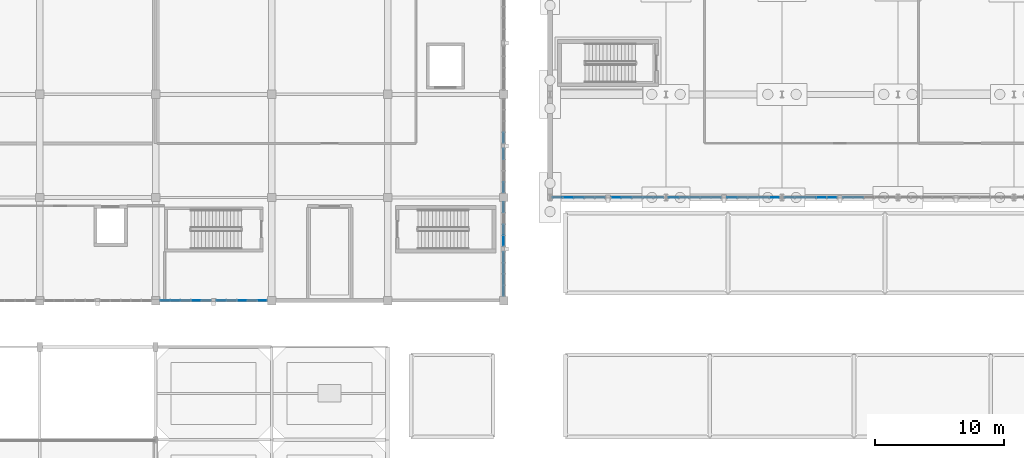
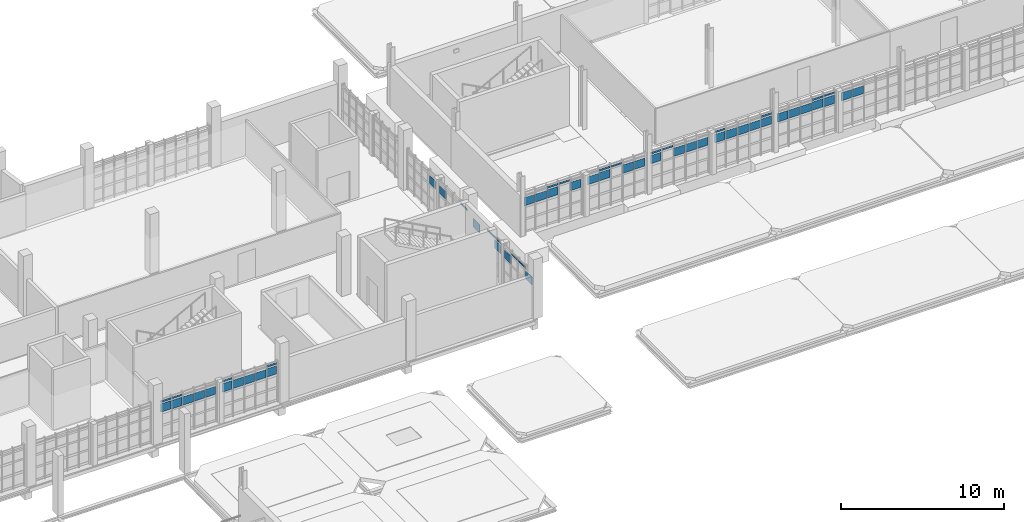
# One storey, part 98 of 125: 59 plates, 12 elements without a shape of their own.
"""IFC4 building model written with IfcOpenShell, lengths in metres."""

from ifc_helpers import new_model, si_unit, direction, frame, origin, origin_2d, place, context, subcontext, project, spatial, rectangle, extrude, material, layer, layer_set, type_object, element, aggregate, save


model = new_model("IFC4")

# Units and contexts
model_context = context("Model", 3, precision=1e-05, world=origin(), true_north=direction((0.0, 1.0)))
body_context = subcontext(model_context, "Body", "Model", "MODEL_VIEW")
ifc_project = project(units=[si_unit("LENGTHUNIT", "METRE"), si_unit("AREAUNIT", "SQUARE_METRE"), si_unit("VOLUMEUNIT", "CUBIC_METRE"), si_unit("PLANEANGLEUNIT", "RADIAN"), si_unit("MASSUNIT", "GRAM", prefix="KILO")], contexts=[model_context])

# Site, building, storey
site_placement = place(None, origin())
site = spatial("IfcSite", under=ifc_project, at=site_placement, CompositionType="ELEMENT")
building_placement = place(site_placement, origin())
building = spatial("IfcBuilding", under=site, at=building_placement, Name="Serraforn Aerial Cableway Station", CompositionType="ELEMENT")
storey_placement = place(building_placement, frame((0.0, 0.0, 4.5)))
storey = spatial("IfcBuildingStorey", under=building, at=storey_placement, Name="L01", CompositionType="ELEMENT", Elevation=4.5)

# Curtain wall, plate
ifc_material_1 = material(Name="Anodised bronze unitised curtain wall")
curtain_wall_type_1 = type_object("IfcCurtainWallType", Name="CW-SYS-26", PredefinedType="USERDEFINED", material=ifc_material_1)
curtain_wall_1_placement = place(storey_placement, origin())
curtain_wall_1 = element("IfcCurtainWall", 1, at=curtain_wall_1_placement, inside=storey, type_object=curtain_wall_type_1, Name="Unitised Curtain Wall CW-CV-L01-S5B", ObjectType="UNITISED CURTAIN WALL", PredefinedType="USERDEFINED")
ifc_material_2 = material(Name="Solar-control low-E double glazing", Category="glass")
ifc_layer_1 = layer(ifc_material_2, 0.02587890625)
ifc_layer_set_1 = layer_set([ifc_layer_1], Name="Solar-control low-E double glazing")
plate_type_1 = type_object("IfcPlateType", Name="CW-GLZ-1", PredefinedType="CURTAIN_PANEL", material=ifc_layer_set_1)
plate_1_placement = place(storey_placement, frame((71.85986328125, 18.0, 2.077392578125), z_axis=(0.0, 0.0, 1.0), x_axis=(1.0, 0.0, 0.0)))
plate_1 = element("IfcPlate", 2, at=plate_1_placement, type_object=plate_type_1, Name="Curtain Wall Panel CW-CV-L01-S5B-P5-3", PredefinedType="CURTAIN_PANEL", context=body_context, shape_type="SweptSolid", body=[
    extrude(rectangle(XDim=0.70849609375, YDim=0.02587890625, at=origin_2d()), origin(), (0.0, 0.0, 1.0), 0.615234375),
])

curtain_wall_type_2 = type_object("IfcCurtainWallType", Name="CW-SYS-2", PredefinedType="USERDEFINED", material=ifc_material_1)
curtain_wall_2_placement = place(storey_placement, origin())
curtain_wall_2 = element("IfcCurtainWall", 3, at=curtain_wall_2_placement, inside=storey, type_object=curtain_wall_type_2, Name="Unitised Curtain Wall CW-CV-L01-E1B", ObjectType="UNITISED CURTAIN WALL", PredefinedType="USERDEFINED")
plate_2_placement = place(storey_placement, frame((90.60009765625, 22.630859375, 2.077392578125), z_axis=(0.0, 0.0, 1.0), x_axis=(1.0, 0.0, 0.0)))
plate_2 = element("IfcPlate", 4, at=plate_2_placement, type_object=plate_type_1, Name="Curtain Wall Panel CW-CV-L01-E1B-P1-3", PredefinedType="CURTAIN_PANEL", context=body_context, shape_type="SweptSolid", body=[
    extrude(rectangle(XDim=0.02587890625, YDim=0.78564453125, at=origin_2d()), origin(), (0.0, 0.0, 1.0), 0.615234375),
])

curtain_wall_type_3 = type_object("IfcCurtainWallType", Name="CW-SYS-9", PredefinedType="USERDEFINED", material=ifc_material_1)
curtain_wall_3_placement = place(storey_placement, origin())
curtain_wall_3 = element("IfcCurtainWall", 5, at=curtain_wall_3_placement, inside=storey, type_object=curtain_wall_type_3, Name="Unitised Curtain Wall CW-EL-L01-S1A", ObjectType="UNITISED CURTAIN WALL", PredefinedType="USERDEFINED")
plate_3_placement = place(storey_placement, frame((95.598388671875, 26.0, 2.06982421875), z_axis=(0.0, 0.0, 1.0), x_axis=(1.0, 0.0, 0.0)))
plate_3 = element("IfcPlate", 6, at=plate_3_placement, type_object=plate_type_1, Name="Curtain Wall Panel CW-EL-L01-S1A-P2-3", PredefinedType="CURTAIN_PANEL", context=body_context, shape_type="SweptSolid", body=[
    extrude(rectangle(XDim=0.781005859375, YDim=0.02587890625, at=origin_2d()), origin(), (0.0, 0.0, 1.0), 0.59521484375),
])

curtain_wall_type_4 = type_object("IfcCurtainWallType", Name="CW-SYS-10", PredefinedType="USERDEFINED", material=ifc_material_1)
curtain_wall_4_placement = place(storey_placement, origin())
curtain_wall_4 = element("IfcCurtainWall", 7, at=curtain_wall_4_placement, inside=storey, type_object=curtain_wall_type_4, Name="Unitised Curtain Wall CW-EL-L01-S1B", ObjectType="UNITISED CURTAIN WALL", PredefinedType="USERDEFINED")
plate_4_placement = place(storey_placement, frame((99.309814453125, 26.0, 2.06982421875), z_axis=(0.0, 0.0, 1.0), x_axis=(1.0, 0.0, 0.0)))
plate_4 = element("IfcPlate", 8, at=plate_4_placement, type_object=plate_type_1, Name="Curtain Wall Panel CW-EL-L01-S1B-P1-3", PredefinedType="CURTAIN_PANEL", context=body_context, shape_type="SweptSolid", body=[
    extrude(rectangle(XDim=0.75341796875, YDim=0.02587890625, at=origin_2d()), origin(), (0.0, 0.0, 1.0), 0.59521484375),
])

curtain_wall_type_5 = type_object("IfcCurtainWallType", Name="CW-SYS-13", PredefinedType="USERDEFINED", material=ifc_material_1)
curtain_wall_5_placement = place(storey_placement, origin())
curtain_wall_5 = element("IfcCurtainWall", 9, at=curtain_wall_5_placement, inside=storey, type_object=curtain_wall_type_5, Name="Unitised Curtain Wall CW-EL-L01-S3A", ObjectType="UNITISED CURTAIN WALL", PredefinedType="USERDEFINED")
plate_5_placement = place(storey_placement, frame((116.083984375, 26.0, 2.8037109375), z_axis=(0.0, 0.0, 1.0), x_axis=(1.0, 0.0, 0.0)))
plate_5 = element("IfcPlate", 10, at=plate_5_placement, type_object=plate_type_1, Name="Curtain Wall Panel CW-EL-L01-S3A-P5-4", PredefinedType="CURTAIN_PANEL", context=body_context, shape_type="SweptSolid", body=[
    extrude(rectangle(XDim=0.73583984375, YDim=0.02587890625, at=origin_2d()), origin(), (0.0, 0.0, 1.0), 0.126220703125),
])

# Plate
ifc_layer_2 = layer(ifc_material_2, 0.028076171875)
ifc_layer_set_2 = layer_set([ifc_layer_2], Name="Solar-control low-E double glazing")
plate_type_2 = type_object("IfcPlateType", Name="CW-GLZ-2", PredefinedType="CURTAIN_PANEL", material=ifc_layer_set_2)
plate_6_placement = place(storey_placement, frame((71.85986328125, 18.0, 2.798583984375), z_axis=(0.0, 0.0, 1.0), x_axis=(1.0, 0.0, 0.0)))
plate_6 = element("IfcPlate", 11, at=plate_6_placement, type_object=plate_type_2, Name="Curtain Wall Panel CW-CV-L01-S5B-P5-4", PredefinedType="CURTAIN_PANEL", context=body_context, shape_type="SweptSolid", body=[
    extrude(rectangle(XDim=0.70849609375, YDim=0.028076171875, at=origin_2d()), origin(), (0.0, 0.0, 1.0), 0.138671875),
])

# Curtain wall, plate
curtain_wall_type_6 = type_object("IfcCurtainWallType", Name="CW-SYS-1", PredefinedType="USERDEFINED", material=ifc_material_1)
curtain_wall_6_placement = place(storey_placement, origin())
curtain_wall_6 = element("IfcCurtainWall", 12, at=curtain_wall_6_placement, inside=storey, type_object=curtain_wall_type_6, Name="Unitised Curtain Wall CW-CV-L01-E1A", ObjectType="UNITISED CURTAIN WALL", PredefinedType="USERDEFINED")
plate_7_placement = place(storey_placement, frame((90.60009765625, 19.633056640625, 2.798583984375), z_axis=(0.0, 0.0, 1.0), x_axis=(1.0, 0.0, 0.0)))
plate_7 = element("IfcPlate", 13, at=plate_7_placement, type_object=plate_type_2, Name="Curtain Wall Panel CW-CV-L01-E1A-P2-4", PredefinedType="CURTAIN_PANEL", context=body_context, shape_type="SweptSolid", body=[
    extrude(rectangle(XDim=0.028076171875, YDim=0.815673828125, at=origin_2d()), origin(), (0.0, 0.0, 1.0), 0.138671875),
])

# Plate
plate_8_placement = place(storey_placement, frame((90.60009765625, 22.630859375, 2.798583984375), z_axis=(0.0, 0.0, 1.0), x_axis=(1.0, 0.0, 0.0)))
plate_8 = element("IfcPlate", 14, at=plate_8_placement, type_object=plate_type_2, Name="Curtain Wall Panel CW-CV-L01-E1B-P1-4", PredefinedType="CURTAIN_PANEL", context=body_context, shape_type="SweptSolid", body=[
    extrude(rectangle(XDim=0.028076171875, YDim=0.78564453125, at=origin_2d()), origin(), (0.0, 0.0, 1.0), 0.138671875),
])

plate_9_placement = place(storey_placement, frame((96.4326171875, 26.0, 2.077392578125), z_axis=(0.0, 0.0, 1.0), x_axis=(1.0, 0.0, 0.0)))
plate_9 = element("IfcPlate", 15, at=plate_9_placement, type_object=plate_type_2, Name="Curtain Wall Panel CW-EL-L01-S1A-P3-3", PredefinedType="CURTAIN_PANEL", context=body_context, shape_type="SweptSolid", body=[
    extrude(rectangle(XDim=0.77587890625, YDim=0.028076171875, at=origin_2d()), origin(), (0.0, 0.0, 1.0), 0.615234375),
])

plate_10_placement = place(storey_placement, frame((100.13037109375, 26.0, 2.077392578125), z_axis=(0.0, 0.0, 1.0), x_axis=(1.0, 0.0, 0.0)))
plate_10 = element("IfcPlate", 16, at=plate_10_placement, type_object=plate_type_2, Name="Curtain Wall Panel CW-EL-L01-S1B-P2-3", PredefinedType="CURTAIN_PANEL", context=body_context, shape_type="SweptSolid", body=[
    extrude(rectangle(XDim=0.77587890625, YDim=0.028076171875, at=origin_2d()), origin(), (0.0, 0.0, 1.0), 0.615234375),
])

# Curtain wall, plate
curtain_wall_type_7 = type_object("IfcCurtainWallType", Name="CW-SYS-11", PredefinedType="USERDEFINED", material=ifc_material_1)
curtain_wall_7_placement = place(storey_placement, origin())
curtain_wall_7 = element("IfcCurtainWall", 17, at=curtain_wall_7_placement, inside=storey, type_object=curtain_wall_type_7, Name="Unitised Curtain Wall CW-EL-L01-S2A", ObjectType="UNITISED CURTAIN WALL", PredefinedType="USERDEFINED")
plate_11_placement = place(storey_placement, frame((103.77880859375, 26.0, 2.077392578125), z_axis=(0.0, 0.0, 1.0), x_axis=(1.0, 0.0, 0.0)))
plate_11 = element("IfcPlate", 18, at=plate_11_placement, type_object=plate_type_2, Name="Curtain Wall Panel CW-EL-L01-S2A-P1-3", PredefinedType="CURTAIN_PANEL", context=body_context, shape_type="SweptSolid", body=[
    extrude(rectangle(XDim=0.745849609375, YDim=0.028076171875, at=origin_2d()), origin(), (0.0, 0.0, 1.0), 0.615234375),
])

# Plate
ifc_layer_3 = layer(ifc_material_2, 0.030029296875)
ifc_layer_set_3 = layer_set([ifc_layer_3], Name="Solar-control low-E double glazing")
plate_type_3 = type_object("IfcPlateType", Name="CW-GLZ-3", PredefinedType="CURTAIN_PANEL", material=ifc_layer_set_3)
plate_12_placement = place(storey_placement, frame((90.60009765625, 20.50732421875, 2.8037109375), z_axis=(0.0, 0.0, 1.0), x_axis=(1.0, 0.0, 0.0)))
plate_12 = element("IfcPlate", 19, at=plate_12_placement, type_object=plate_type_3, Name="Curtain Wall Panel CW-CV-L01-E1A-P3-4", PredefinedType="CURTAIN_PANEL", context=body_context, shape_type="SweptSolid", body=[
    extrude(rectangle(XDim=0.030029296875, YDim=0.810791015625, at=origin_2d()), origin(), (0.0, 0.0, 1.0), 0.126220703125),
])

plate_13_placement = place(storey_placement, frame((90.60009765625, 21.36279296875, 2.0546875), z_axis=(0.0, 0.0, 1.0), x_axis=(1.0, 0.0, 0.0)))
plate_13 = element("IfcPlate", 20, at=plate_13_placement, type_object=plate_type_3, Name="Curtain Wall Panel CW-CV-L01-E1A-P4-3", PredefinedType="CURTAIN_PANEL", context=body_context, shape_type="SweptSolid", body=[
    extrude(rectangle(XDim=0.030029296875, YDim=0.768310546875, at=origin_2d()), origin(), (0.0, 0.0, 1.0), 0.625244140625),
])

plate_14_placement = place(storey_placement, frame((90.60009765625, 23.489990234375, 2.8037109375), z_axis=(0.0, 0.0, 1.0), x_axis=(1.0, 0.0, 0.0)))
plate_14 = element("IfcPlate", 21, at=plate_14_placement, type_object=plate_type_3, Name="Curtain Wall Panel CW-CV-L01-E1B-P2-4", PredefinedType="CURTAIN_PANEL", context=body_context, shape_type="SweptSolid", body=[
    extrude(rectangle(XDim=0.030029296875, YDim=0.810791015625, at=origin_2d()), origin(), (0.0, 0.0, 1.0), 0.126220703125),
])

# Curtain wall, plate
curtain_wall_type_8 = type_object("IfcCurtainWallType", Name="CW-SYS-3", PredefinedType="USERDEFINED", material=ifc_material_1)
curtain_wall_8_placement = place(storey_placement, origin())
curtain_wall_8 = element("IfcCurtainWall", 22, at=curtain_wall_8_placement, inside=storey, type_object=curtain_wall_type_8, Name="Unitised Curtain Wall CW-CV-L01-E2A", ObjectType="UNITISED CURTAIN WALL", PredefinedType="USERDEFINED")
plate_15_placement = place(storey_placement, frame((90.60009765625, 26.775146484375, 2.8037109375), z_axis=(0.0, 0.0, 1.0), x_axis=(1.0, 0.0, 0.0)))
plate_15 = element("IfcPlate", 23, at=plate_15_placement, type_object=plate_type_3, Name="Curtain Wall Panel CW-CV-L01-E2A-P1-4", PredefinedType="CURTAIN_PANEL", context=body_context, shape_type="SweptSolid", body=[
    extrude(rectangle(XDim=0.030029296875, YDim=0.7783203125, at=origin_2d()), origin(), (0.0, 0.0, 1.0), 0.126220703125),
])

curtain_wall_type_9 = type_object("IfcCurtainWallType", Name="CW-SYS-4", PredefinedType="USERDEFINED", material=ifc_material_1)
curtain_wall_9_placement = place(storey_placement, origin())
curtain_wall_9 = element("IfcCurtainWall", 24, at=curtain_wall_9_placement, inside=storey, type_object=curtain_wall_type_9, Name="Unitised Curtain Wall CW-CV-L01-E2B", ObjectType="UNITISED CURTAIN WALL", PredefinedType="USERDEFINED")
plate_16_placement = place(storey_placement, frame((90.60009765625, 30.63330078125, 2.0546875), z_axis=(0.0, 0.0, 1.0), x_axis=(1.0, 0.0, 0.0)))
plate_16 = element("IfcPlate", 25, at=plate_16_placement, type_object=plate_type_3, Name="Curtain Wall Panel CW-CV-L01-E2B-P1-3", PredefinedType="CURTAIN_PANEL", context=body_context, shape_type="SweptSolid", body=[
    extrude(rectangle(XDim=0.030029296875, YDim=0.770751953125, at=origin_2d()), origin(), (0.0, 0.0, 1.0), 0.625244140625),
])
aggregate(curtain_wall_9, [plate_16])

# Plate
plate_17_placement = place(storey_placement, frame((96.4326171875, 26.0, 2.798583984375), z_axis=(0.0, 0.0, 1.0), x_axis=(1.0, 0.0, 0.0)))
plate_17 = element("IfcPlate", 26, at=plate_17_placement, type_object=plate_type_3, Name="Curtain Wall Panel CW-EL-L01-S1A-P3-4", PredefinedType="CURTAIN_PANEL", context=body_context, shape_type="SweptSolid", body=[
    extrude(rectangle(XDim=0.77587890625, YDim=0.030029296875, at=origin_2d()), origin(), (0.0, 0.0, 1.0), 0.138671875),
])

plate_18_placement = place(storey_placement, frame((100.13037109375, 26.0, 2.798583984375), z_axis=(0.0, 0.0, 1.0), x_axis=(1.0, 0.0, 0.0)))
plate_18 = element("IfcPlate", 27, at=plate_18_placement, type_object=plate_type_3, Name="Curtain Wall Panel CW-EL-L01-S1B-P2-4", PredefinedType="CURTAIN_PANEL", context=body_context, shape_type="SweptSolid", body=[
    extrude(rectangle(XDim=0.77587890625, YDim=0.030029296875, at=origin_2d()), origin(), (0.0, 0.0, 1.0), 0.138671875),
])

plate_19_placement = place(storey_placement, frame((103.77880859375, 26.0, 2.798583984375), z_axis=(0.0, 0.0, 1.0), x_axis=(1.0, 0.0, 0.0)))
plate_19 = element("IfcPlate", 28, at=plate_19_placement, type_object=plate_type_3, Name="Curtain Wall Panel CW-EL-L01-S2A-P1-4", PredefinedType="CURTAIN_PANEL", context=body_context, shape_type="SweptSolid", body=[
    extrude(rectangle(XDim=0.745849609375, YDim=0.030029296875, at=origin_2d()), origin(), (0.0, 0.0, 1.0), 0.138671875),
])

# Curtain wall, plate
curtain_wall_type_10 = type_object("IfcCurtainWallType", Name="CW-SYS-12", PredefinedType="USERDEFINED", material=ifc_material_1)
curtain_wall_10_placement = place(storey_placement, origin())
curtain_wall_10 = element("IfcCurtainWall", 29, at=curtain_wall_10_placement, inside=storey, type_object=curtain_wall_type_10, Name="Unitised Curtain Wall CW-EL-L01-S2B", ObjectType="UNITISED CURTAIN WALL", PredefinedType="USERDEFINED")
plate_20_placement = place(storey_placement, frame((108.312255859375, 26.0, 2.0498046875), z_axis=(0.0, 0.0, 1.0), x_axis=(1.0, 0.0, 0.0)))
plate_20 = element("IfcPlate", 30, at=plate_20_placement, type_object=plate_type_3, Name="Curtain Wall Panel CW-EL-L01-S2B-P1-3", PredefinedType="CURTAIN_PANEL", context=body_context, shape_type="SweptSolid", body=[
    extrude(rectangle(XDim=0.73828125, YDim=0.030029296875, at=origin_2d()), origin(), (0.0, 0.0, 1.0), 0.6376953125),
])

curtain_wall_type_11 = type_object("IfcCurtainWallType", Name="CW-SYS-25", PredefinedType="USERDEFINED", material=ifc_material_1)
curtain_wall_11_placement = place(storey_placement, origin())
curtain_wall_11 = element("IfcCurtainWall", 31, at=curtain_wall_11_placement, inside=storey, type_object=curtain_wall_type_11, Name="Unitised Curtain Wall CW-CV-L01-S5A", ObjectType="UNITISED CURTAIN WALL", PredefinedType="USERDEFINED")
ifc_layer_4 = layer(ifc_material_2, 0.031982421875)
ifc_layer_set_4 = layer_set([ifc_layer_4], Name="Solar-control low-E double glazing")
plate_type_4 = type_object("IfcPlateType", Name="CW-GLZ-4", PredefinedType="CURTAIN_PANEL", material=ifc_layer_set_4)
plate_21_placement = place(storey_placement, frame((64.33642578125, 18.0, 2.077392578125), z_axis=(0.0, 0.0, 1.0), x_axis=(1.0, 0.0, 0.0)))
plate_21 = element("IfcPlate", 32, at=plate_21_placement, type_object=plate_type_4, Name="Curtain Wall Panel CW-CV-L01-S5A-P1-3", PredefinedType="CURTAIN_PANEL", context=body_context, shape_type="SweptSolid", body=[
    extrude(rectangle(XDim=0.7109375, YDim=0.031982421875, at=origin_2d()), origin(), (0.0, 0.0, 1.0), 0.615234375),
])

# Plate
plate_22_placement = place(storey_placement, frame((90.60009765625, 25.231201171875, 2.062255859375), z_axis=(0.0, 0.0, 1.0), x_axis=(1.0, 0.0, 0.0)))
plate_22 = element("IfcPlate", 33, at=plate_22_placement, type_object=plate_type_4, Name="Curtain Wall Panel CW-CV-L01-E1B-P4-3", PredefinedType="CURTAIN_PANEL", context=body_context, shape_type="SweptSolid", body=[
    extrude(rectangle(XDim=0.031982421875, YDim=0.78564453125, at=origin_2d()), origin(), (0.0, 0.0, 1.0), 0.6103515625),
])

aggregate(curtain_wall_2, [plate_2, plate_8, plate_14, plate_22])

plate_23_placement = place(storey_placement, frame((97.26708984375, 26.0, 2.8037109375), z_axis=(0.0, 0.0, 1.0), x_axis=(1.0, 0.0, 0.0)))
plate_23 = element("IfcPlate", 34, at=plate_23_placement, type_object=plate_type_4, Name="Curtain Wall Panel CW-EL-L01-S1A-P4-4", PredefinedType="CURTAIN_PANEL", context=body_context, shape_type="SweptSolid", body=[
    extrude(rectangle(XDim=0.77099609375, YDim=0.031982421875, at=origin_2d()), origin(), (0.0, 0.0, 1.0), 0.126220703125),
])

plate_24_placement = place(storey_placement, frame((98.082763671875, 26.0, 2.0546875), z_axis=(0.0, 0.0, 1.0), x_axis=(1.0, 0.0, 0.0)))
plate_24 = element("IfcPlate", 35, at=plate_24_placement, type_object=plate_type_4, Name="Curtain Wall Panel CW-EL-L01-S1A-P5-3", PredefinedType="CURTAIN_PANEL", context=body_context, shape_type="SweptSolid", body=[
    extrude(rectangle(XDim=0.728515625, YDim=0.031982421875, at=origin_2d()), origin(), (0.0, 0.0, 1.0), 0.625244140625),
])

plate_25_placement = place(storey_placement, frame((100.964599609375, 26.0, 2.8037109375), z_axis=(0.0, 0.0, 1.0), x_axis=(1.0, 0.0, 0.0)))
plate_25 = element("IfcPlate", 36, at=plate_25_placement, type_object=plate_type_4, Name="Curtain Wall Panel CW-EL-L01-S1B-P3-4", PredefinedType="CURTAIN_PANEL", context=body_context, shape_type="SweptSolid", body=[
    extrude(rectangle(XDim=0.77099609375, YDim=0.031982421875, at=origin_2d()), origin(), (0.0, 0.0, 1.0), 0.126220703125),
])

plate_26_placement = place(storey_placement, frame((101.799072265625, 26.0, 2.0546875), z_axis=(0.0, 0.0, 1.0), x_axis=(1.0, 0.0, 0.0)))
plate_26 = element("IfcPlate", 37, at=plate_26_placement, type_object=plate_type_4, Name="Curtain Wall Panel CW-EL-L01-S1B-P4-3", PredefinedType="CURTAIN_PANEL", context=body_context, shape_type="SweptSolid", body=[
    extrude(rectangle(XDim=0.765869140625, YDim=0.031982421875, at=origin_2d()), origin(), (0.0, 0.0, 1.0), 0.625244140625),
])

plate_27_placement = place(storey_placement, frame((104.598388671875, 26.0, 2.8037109375), z_axis=(0.0, 0.0, 1.0), x_axis=(1.0, 0.0, 0.0)))
plate_27 = element("IfcPlate", 38, at=plate_27_placement, type_object=plate_type_4, Name="Curtain Wall Panel CW-EL-L01-S2A-P2-4", PredefinedType="CURTAIN_PANEL", context=body_context, shape_type="SweptSolid", body=[
    extrude(rectangle(XDim=0.77099609375, YDim=0.031982421875, at=origin_2d()), origin(), (0.0, 0.0, 1.0), 0.126220703125),
])

plate_28_placement = place(storey_placement, frame((105.4326171875, 26.0, 2.0546875), z_axis=(0.0, 0.0, 1.0), x_axis=(1.0, 0.0, 0.0)))
plate_28 = element("IfcPlate", 39, at=plate_28_placement, type_object=plate_type_4, Name="Curtain Wall Panel CW-EL-L01-S2A-P3-3", PredefinedType="CURTAIN_PANEL", context=body_context, shape_type="SweptSolid", body=[
    extrude(rectangle(XDim=0.765869140625, YDim=0.031982421875, at=origin_2d()), origin(), (0.0, 0.0, 1.0), 0.625244140625),
])

plate_29_placement = place(storey_placement, frame((108.312255859375, 26.0, 2.8037109375), z_axis=(0.0, 0.0, 1.0), x_axis=(1.0, 0.0, 0.0)))
plate_29 = element("IfcPlate", 40, at=plate_29_placement, type_object=plate_type_4, Name="Curtain Wall Panel CW-EL-L01-S2B-P1-4", PredefinedType="CURTAIN_PANEL", context=body_context, shape_type="SweptSolid", body=[
    extrude(rectangle(XDim=0.73828125, YDim=0.031982421875, at=origin_2d()), origin(), (0.0, 0.0, 1.0), 0.126220703125),
])

plate_30_placement = place(storey_placement, frame((109.13037109375, 26.0, 2.0546875), z_axis=(0.0, 0.0, 1.0), x_axis=(1.0, 0.0, 0.0)))
plate_30 = element("IfcPlate", 41, at=plate_30_placement, type_object=plate_type_4, Name="Curtain Wall Panel CW-EL-L01-S2B-P2-3", PredefinedType="CURTAIN_PANEL", context=body_context, shape_type="SweptSolid", body=[
    extrude(rectangle(XDim=0.765869140625, YDim=0.031982421875, at=origin_2d()), origin(), (0.0, 0.0, 1.0), 0.625244140625),
])

plate_31_placement = place(storey_placement, frame((112.781494140625, 26.0, 2.0546875), z_axis=(0.0, 0.0, 1.0), x_axis=(1.0, 0.0, 0.0)))
plate_31 = element("IfcPlate", 42, at=plate_31_placement, type_object=plate_type_4, Name="Curtain Wall Panel CW-EL-L01-S3A-P1-3", PredefinedType="CURTAIN_PANEL", context=body_context, shape_type="SweptSolid", body=[
    extrude(rectangle(XDim=0.73095703125, YDim=0.031982421875, at=origin_2d()), origin(), (0.0, 0.0, 1.0), 0.625244140625),
])

ifc_layer_5 = layer(ifc_material_2, 0.033935546875)
ifc_layer_set_5 = layer_set([ifc_layer_5], Name="Solar-control low-E double glazing")
plate_type_5 = type_object("IfcPlateType", Name="CW-GLZ-5", PredefinedType="CURTAIN_PANEL", material=ifc_layer_set_5)
plate_32_placement = place(storey_placement, frame((64.33642578125, 18.0, 2.798583984375), z_axis=(0.0, 0.0, 1.0), x_axis=(1.0, 0.0, 0.0)))
plate_32 = element("IfcPlate", 43, at=plate_32_placement, type_object=plate_type_5, Name="Curtain Wall Panel CW-CV-L01-S5A-P1-4", PredefinedType="CURTAIN_PANEL", context=body_context, shape_type="SweptSolid", body=[
    extrude(rectangle(XDim=0.7109375, YDim=0.033935546875, at=origin_2d()), origin(), (0.0, 0.0, 1.0), 0.138671875),
])

plate_33_placement = place(storey_placement, frame((65.120849609375, 18.0, 2.0498046875), z_axis=(0.0, 0.0, 1.0), x_axis=(1.0, 0.0, 0.0)))
plate_33 = element("IfcPlate", 44, at=plate_33_placement, type_object=plate_type_5, Name="Curtain Wall Panel CW-CV-L01-S5A-P2-3", PredefinedType="CURTAIN_PANEL", context=body_context, shape_type="SweptSolid", body=[
    extrude(rectangle(XDim=0.73583984375, YDim=0.033935546875, at=origin_2d()), origin(), (0.0, 0.0, 1.0), 0.6376953125),
])

plate_34_placement = place(storey_placement, frame((68.694580078125, 18.0, 2.0498046875), z_axis=(0.0, 0.0, 1.0), x_axis=(1.0, 0.0, 0.0)))
plate_34 = element("IfcPlate", 45, at=plate_34_placement, type_object=plate_type_5, Name="Curtain Wall Panel CW-CV-L01-S5B-P1-3", PredefinedType="CURTAIN_PANEL", context=body_context, shape_type="SweptSolid", body=[
    extrude(rectangle(XDim=0.703369140625, YDim=0.033935546875, at=origin_2d()), origin(), (0.0, 0.0, 1.0), 0.6376953125),
])

plate_35_placement = place(storey_placement, frame((90.60009765625, 29.36669921875, 2.06982421875), z_axis=(0.0, 0.0, 1.0), x_axis=(1.0, 0.0, 0.0)))
plate_35 = element("IfcPlate", 46, at=plate_35_placement, type_object=plate_type_5, Name="Curtain Wall Panel CW-CV-L01-E2A-P4-3", PredefinedType="CURTAIN_PANEL", context=body_context, shape_type="SweptSolid", body=[
    extrude(rectangle(XDim=0.033935546875, YDim=0.790771484375, at=origin_2d()), origin(), (0.0, 0.0, 1.0), 0.59521484375),
])

aggregate(curtain_wall_8, [plate_15, plate_35])

plate_36_placement = place(storey_placement, frame((102.626220703125, 26.0, 2.062255859375), z_axis=(0.0, 0.0, 1.0), x_axis=(1.0, 0.0, 0.0)))
plate_36 = element("IfcPlate", 47, at=plate_36_placement, type_object=plate_type_5, Name="Curtain Wall Panel CW-EL-L01-S1B-P5-3", PredefinedType="CURTAIN_PANEL", context=body_context, shape_type="SweptSolid", body=[
    extrude(rectangle(XDim=0.745849609375, YDim=0.033935546875, at=origin_2d()), origin(), (0.0, 0.0, 1.0), 0.6103515625),
])

aggregate(curtain_wall_4, [plate_4, plate_10, plate_18, plate_25, plate_26, plate_36])

plate_37_placement = place(storey_placement, frame((106.2734375, 26.0, 2.062255859375), z_axis=(0.0, 0.0, 1.0), x_axis=(1.0, 0.0, 0.0)))
plate_37 = element("IfcPlate", 48, at=plate_37_placement, type_object=plate_type_5, Name="Curtain Wall Panel CW-EL-L01-S2A-P4-3", PredefinedType="CURTAIN_PANEL", context=body_context, shape_type="SweptSolid", body=[
    extrude(rectangle(XDim=0.7734375, YDim=0.033935546875, at=origin_2d()), origin(), (0.0, 0.0, 1.0), 0.6103515625),
])

plate_38_placement = place(storey_placement, frame((109.970947265625, 26.0, 2.062255859375), z_axis=(0.0, 0.0, 1.0), x_axis=(1.0, 0.0, 0.0)))
plate_38 = element("IfcPlate", 49, at=plate_38_placement, type_object=plate_type_5, Name="Curtain Wall Panel CW-EL-L01-S2B-P3-3", PredefinedType="CURTAIN_PANEL", context=body_context, shape_type="SweptSolid", body=[
    extrude(rectangle(XDim=0.7734375, YDim=0.033935546875, at=origin_2d()), origin(), (0.0, 0.0, 1.0), 0.6103515625),
])

plate_39_placement = place(storey_placement, frame((113.6044921875, 26.0, 2.062255859375), z_axis=(0.0, 0.0, 1.0), x_axis=(1.0, 0.0, 0.0)))
plate_39 = element("IfcPlate", 50, at=plate_39_placement, type_object=plate_type_5, Name="Curtain Wall Panel CW-EL-L01-S3A-P2-3", PredefinedType="CURTAIN_PANEL", context=body_context, shape_type="SweptSolid", body=[
    extrude(rectangle(XDim=0.7734375, YDim=0.033935546875, at=origin_2d()), origin(), (0.0, 0.0, 1.0), 0.6103515625),
])

# Curtain wall, plate
curtain_wall_type_12 = type_object("IfcCurtainWallType", Name="CW-SYS-14", PredefinedType="USERDEFINED", material=ifc_material_1)
curtain_wall_12_placement = place(storey_placement, origin())
curtain_wall_12 = element("IfcCurtainWall", 51, at=curtain_wall_12_placement, inside=storey, type_object=curtain_wall_type_12, Name="Unitised Curtain Wall CW-EL-L01-S3B", ObjectType="UNITISED CURTAIN WALL", PredefinedType="USERDEFINED")
plate_40_placement = place(storey_placement, frame((117.32080078125, 26.0, 2.062255859375), z_axis=(0.0, 0.0, 1.0), x_axis=(1.0, 0.0, 0.0)))
plate_40 = element("IfcPlate", 52, at=plate_40_placement, type_object=plate_type_5, Name="Curtain Wall Panel CW-EL-L01-S3B-P1-3", PredefinedType="CURTAIN_PANEL", context=body_context, shape_type="SweptSolid", body=[
    extrude(rectangle(XDim=0.73583984375, YDim=0.033935546875, at=origin_2d()), origin(), (0.0, 0.0, 1.0), 0.6103515625),
])

# Plate
ifc_layer_6 = layer(ifc_material_2, 0.035888671875)
ifc_layer_set_6 = layer_set([ifc_layer_6], Name="Solar-control low-E double glazing")
plate_type_6 = type_object("IfcPlateType", Name="CW-GLZ-6", PredefinedType="CURTAIN_PANEL", material=ifc_layer_set_6)
plate_41_placement = place(storey_placement, frame((65.120849609375, 18.0, 2.8037109375), z_axis=(0.0, 0.0, 1.0), x_axis=(1.0, 0.0, 0.0)))
plate_41 = element("IfcPlate", 53, at=plate_41_placement, type_object=plate_type_6, Name="Curtain Wall Panel CW-CV-L01-S5A-P2-4", PredefinedType="CURTAIN_PANEL", context=body_context, shape_type="SweptSolid", body=[
    extrude(rectangle(XDim=0.73583984375, YDim=0.035888671875, at=origin_2d()), origin(), (0.0, 0.0, 1.0), 0.126220703125),
])

plate_42_placement = place(storey_placement, frame((65.920166015625, 18.0, 2.0546875), z_axis=(0.0, 0.0, 1.0), x_axis=(1.0, 0.0, 0.0)))
plate_42 = element("IfcPlate", 54, at=plate_42_placement, type_object=plate_type_6, Name="Curtain Wall Panel CW-CV-L01-S5A-P3-3", PredefinedType="CURTAIN_PANEL", context=body_context, shape_type="SweptSolid", body=[
    extrude(rectangle(XDim=0.73095703125, YDim=0.035888671875, at=origin_2d()), origin(), (0.0, 0.0, 1.0), 0.625244140625),
])

plate_43_placement = place(storey_placement, frame((68.694580078125, 18.0, 2.8037109375), z_axis=(0.0, 0.0, 1.0), x_axis=(1.0, 0.0, 0.0)))
plate_43 = element("IfcPlate", 55, at=plate_43_placement, type_object=plate_type_6, Name="Curtain Wall Panel CW-CV-L01-S5B-P1-4", PredefinedType="CURTAIN_PANEL", context=body_context, shape_type="SweptSolid", body=[
    extrude(rectangle(XDim=0.703369140625, YDim=0.035888671875, at=origin_2d()), origin(), (0.0, 0.0, 1.0), 0.126220703125),
])

plate_44_placement = place(storey_placement, frame((69.477783203125, 18.0, 2.0546875), z_axis=(0.0, 0.0, 1.0), x_axis=(1.0, 0.0, 0.0)))
plate_44 = element("IfcPlate", 56, at=plate_44_placement, type_object=plate_type_6, Name="Curtain Wall Panel CW-CV-L01-S5B-P2-3", PredefinedType="CURTAIN_PANEL", context=body_context, shape_type="SweptSolid", body=[
    extrude(rectangle(XDim=0.73095703125, YDim=0.035888671875, at=origin_2d()), origin(), (0.0, 0.0, 1.0), 0.625244140625),
])

plate_45_placement = place(storey_placement, frame((107.086669921875, 26.0, 2.06982421875), z_axis=(0.0, 0.0, 1.0), x_axis=(1.0, 0.0, 0.0)))
plate_45 = element("IfcPlate", 57, at=plate_45_placement, type_object=plate_type_6, Name="Curtain Wall Panel CW-EL-L01-S2A-P5-3", PredefinedType="CURTAIN_PANEL", context=body_context, shape_type="SweptSolid", body=[
    extrude(rectangle(XDim=0.7509765625, YDim=0.035888671875, at=origin_2d()), origin(), (0.0, 0.0, 1.0), 0.59521484375),
])

aggregate(curtain_wall_7, [plate_11, plate_19, plate_27, plate_28, plate_37, plate_45])

plate_46_placement = place(storey_placement, frame((110.799072265625, 26.0, 2.06982421875), z_axis=(0.0, 0.0, 1.0), x_axis=(1.0, 0.0, 0.0)))
plate_46 = element("IfcPlate", 58, at=plate_46_placement, type_object=plate_type_6, Name="Curtain Wall Panel CW-EL-L01-S2B-P4-3", PredefinedType="CURTAIN_PANEL", context=body_context, shape_type="SweptSolid", body=[
    extrude(rectangle(XDim=0.781005859375, YDim=0.035888671875, at=origin_2d()), origin(), (0.0, 0.0, 1.0), 0.59521484375),
])

plate_47_placement = place(storey_placement, frame((114.4326171875, 26.0, 2.06982421875), z_axis=(0.0, 0.0, 1.0), x_axis=(1.0, 0.0, 0.0)))
plate_47 = element("IfcPlate", 59, at=plate_47_placement, type_object=plate_type_6, Name="Curtain Wall Panel CW-EL-L01-S3A-P3-3", PredefinedType="CURTAIN_PANEL", context=body_context, shape_type="SweptSolid", body=[
    extrude(rectangle(XDim=0.781005859375, YDim=0.035888671875, at=origin_2d()), origin(), (0.0, 0.0, 1.0), 0.59521484375),
])

plate_48_placement = place(storey_placement, frame((118.13037109375, 26.0, 2.06982421875), z_axis=(0.0, 0.0, 1.0), x_axis=(1.0, 0.0, 0.0)))
plate_48 = element("IfcPlate", 60, at=plate_48_placement, type_object=plate_type_6, Name="Curtain Wall Panel CW-EL-L01-S3B-P2-3", PredefinedType="CURTAIN_PANEL", context=body_context, shape_type="SweptSolid", body=[
    extrude(rectangle(XDim=0.781005859375, YDim=0.035888671875, at=origin_2d()), origin(), (0.0, 0.0, 1.0), 0.59521484375),
])

aggregate(curtain_wall_12, [plate_40, plate_48])

ifc_layer_7 = layer(ifc_material_2, 0.029052734375)
ifc_layer_set_7 = layer_set([ifc_layer_7], Name="Solar-control low-E double glazing")
plate_type_7 = type_object("IfcPlateType", Name="CW-GLZ-7", PredefinedType="CURTAIN_PANEL", material=ifc_layer_set_7)
plate_49_placement = place(storey_placement, frame((66.725830078125, 18.0, 2.062255859375), z_axis=(0.0, 0.0, 1.0), x_axis=(1.0, 0.0, 0.0)))
plate_49 = element("IfcPlate", 61, at=plate_49_placement, type_object=plate_type_7, Name="Curtain Wall Panel CW-CV-L01-S5A-P4-3", PredefinedType="CURTAIN_PANEL", context=body_context, shape_type="SweptSolid", body=[
    extrude(rectangle(XDim=0.73828125, YDim=0.029052734375, at=origin_2d()), origin(), (0.0, 0.0, 1.0), 0.6103515625),
])

plate_50_placement = place(storey_placement, frame((70.283447265625, 18.0, 2.062255859375), z_axis=(0.0, 0.0, 1.0), x_axis=(1.0, 0.0, 0.0)))
plate_50 = element("IfcPlate", 62, at=plate_50_placement, type_object=plate_type_7, Name="Curtain Wall Panel CW-CV-L01-S5B-P3-3", PredefinedType="CURTAIN_PANEL", context=body_context, shape_type="SweptSolid", body=[
    extrude(rectangle(XDim=0.73828125, YDim=0.029052734375, at=origin_2d()), origin(), (0.0, 0.0, 1.0), 0.6103515625),
])

plate_51_placement = place(storey_placement, frame((111.6171875, 26.0, 2.077392578125), z_axis=(0.0, 0.0, 1.0), x_axis=(1.0, 0.0, 0.0)))
plate_51 = element("IfcPlate", 63, at=plate_51_placement, type_object=plate_type_7, Name="Curtain Wall Panel CW-EL-L01-S2B-P5-3", PredefinedType="CURTAIN_PANEL", context=body_context, shape_type="SweptSolid", body=[
    extrude(rectangle(XDim=0.743408203125, YDim=0.029052734375, at=origin_2d()), origin(), (0.0, 0.0, 1.0), 0.615234375),
])

plate_52_placement = place(storey_placement, frame((115.26708984375, 26.0, 2.077392578125), z_axis=(0.0, 0.0, 1.0), x_axis=(1.0, 0.0, 0.0)))
plate_52 = element("IfcPlate", 64, at=plate_52_placement, type_object=plate_type_7, Name="Curtain Wall Panel CW-EL-L01-S3A-P4-3", PredefinedType="CURTAIN_PANEL", context=body_context, shape_type="SweptSolid", body=[
    extrude(rectangle(XDim=0.77587890625, YDim=0.029052734375, at=origin_2d()), origin(), (0.0, 0.0, 1.0), 0.615234375),
])

ifc_layer_8 = layer(ifc_material_2, 0.031005859375)
ifc_layer_set_8 = layer_set([ifc_layer_8], Name="Solar-control low-E double glazing")
plate_type_8 = type_object("IfcPlateType", Name="CW-GLZ-8", PredefinedType="CURTAIN_PANEL", material=ifc_layer_set_8)
plate_53_placement = place(storey_placement, frame((67.504150390625, 18.0, 2.06982421875), z_axis=(0.0, 0.0, 1.0), x_axis=(1.0, 0.0, 0.0)))
plate_53 = element("IfcPlate", 65, at=plate_53_placement, type_object=plate_type_8, Name="Curtain Wall Panel CW-CV-L01-S5A-P5-3", PredefinedType="CURTAIN_PANEL", context=body_context, shape_type="SweptSolid", body=[
    extrude(rectangle(XDim=0.7158203125, YDim=0.031005859375, at=origin_2d()), origin(), (0.0, 0.0, 1.0), 0.59521484375),
])

aggregate(curtain_wall_11, [plate_21, plate_32, plate_33, plate_41, plate_42, plate_49, plate_53])

plate_54_placement = place(storey_placement, frame((71.07666015625, 18.0, 2.06982421875), z_axis=(0.0, 0.0, 1.0), x_axis=(1.0, 0.0, 0.0)))
plate_54 = element("IfcPlate", 66, at=plate_54_placement, type_object=plate_type_8, Name="Curtain Wall Panel CW-CV-L01-S5B-P4-3", PredefinedType="CURTAIN_PANEL", context=body_context, shape_type="SweptSolid", body=[
    extrude(rectangle(XDim=0.745849609375, YDim=0.031005859375, at=origin_2d()), origin(), (0.0, 0.0, 1.0), 0.59521484375),
])

aggregate(curtain_wall_1, [plate_34, plate_43, plate_44, plate_50, plate_54, plate_1, plate_6])

plate_55_placement = place(storey_placement, frame((90.60009765625, 18.772705078125, 2.06982421875), z_axis=(0.0, 0.0, 1.0), x_axis=(1.0, 0.0, 0.0)))
plate_55 = element("IfcPlate", 67, at=plate_55_placement, type_object=plate_type_8, Name="Curtain Wall Panel CW-CV-L01-E1A-P1-3", PredefinedType="CURTAIN_PANEL", context=body_context, shape_type="SweptSolid", body=[
    extrude(rectangle(XDim=0.031005859375, YDim=0.793212890625, at=origin_2d()), origin(), (0.0, 0.0, 1.0), 0.59521484375),
])

aggregate(curtain_wall_6, [plate_55, plate_7, plate_12, plate_13])

plate_56_placement = place(storey_placement, frame((94.788818359375, 26.0, 2.062255859375), z_axis=(0.0, 0.0, 1.0), x_axis=(1.0, 0.0, 0.0)))
plate_56 = element("IfcPlate", 68, at=plate_56_placement, type_object=plate_type_8, Name="Curtain Wall Panel CW-EL-L01-S1A-P1-3", PredefinedType="CURTAIN_PANEL", context=body_context, shape_type="SweptSolid", body=[
    extrude(rectangle(XDim=0.73583984375, YDim=0.031005859375, at=origin_2d()), origin(), (0.0, 0.0, 1.0), 0.6103515625),
])

aggregate(curtain_wall_3, [plate_56, plate_3, plate_9, plate_17, plate_23, plate_24])

plate_57_placement = place(storey_placement, frame((111.6171875, 26.0, 2.798583984375), z_axis=(0.0, 0.0, 1.0), x_axis=(1.0, 0.0, 0.0)))
plate_57 = element("IfcPlate", 69, at=plate_57_placement, type_object=plate_type_8, Name="Curtain Wall Panel CW-EL-L01-S2B-P5-4", PredefinedType="CURTAIN_PANEL", context=body_context, shape_type="SweptSolid", body=[
    extrude(rectangle(XDim=0.743408203125, YDim=0.031005859375, at=origin_2d()), origin(), (0.0, 0.0, 1.0), 0.138671875),
])

aggregate(curtain_wall_10, [plate_20, plate_29, plate_30, plate_38, plate_46, plate_51, plate_57])

plate_58_placement = place(storey_placement, frame((115.26708984375, 26.0, 2.798583984375), z_axis=(0.0, 0.0, 1.0), x_axis=(1.0, 0.0, 0.0)))
plate_58 = element("IfcPlate", 70, at=plate_58_placement, type_object=plate_type_8, Name="Curtain Wall Panel CW-EL-L01-S3A-P4-4", PredefinedType="CURTAIN_PANEL", context=body_context, shape_type="SweptSolid", body=[
    extrude(rectangle(XDim=0.77587890625, YDim=0.031005859375, at=origin_2d()), origin(), (0.0, 0.0, 1.0), 0.138671875),
])

plate_59_placement = place(storey_placement, frame((116.083984375, 26.0, 2.0498046875), z_axis=(0.0, 0.0, 1.0), x_axis=(1.0, 0.0, 0.0)))
plate_59 = element("IfcPlate", 71, at=plate_59_placement, type_object=plate_type_8, Name="Curtain Wall Panel CW-EL-L01-S3A-P5-3", PredefinedType="CURTAIN_PANEL", context=body_context, shape_type="SweptSolid", body=[
    extrude(rectangle(XDim=0.73583984375, YDim=0.031005859375, at=origin_2d()), origin(), (0.0, 0.0, 1.0), 0.6376953125),
])

aggregate(curtain_wall_5, [plate_31, plate_39, plate_47, plate_52, plate_58, plate_59, plate_5])

save(model, "model.ifc")
